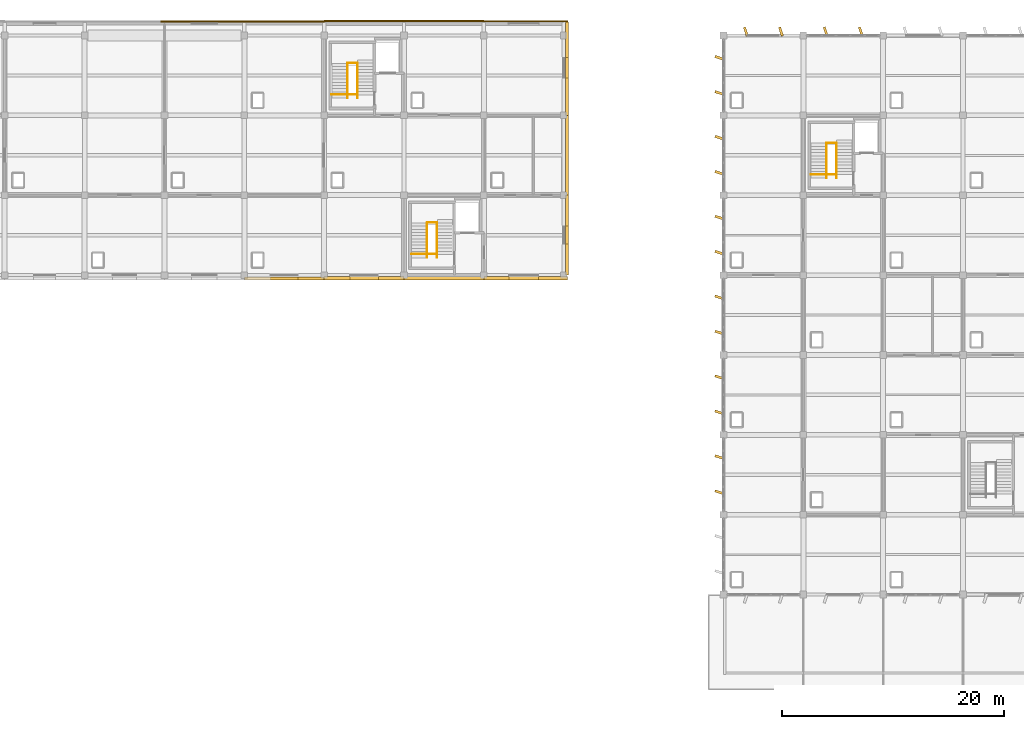
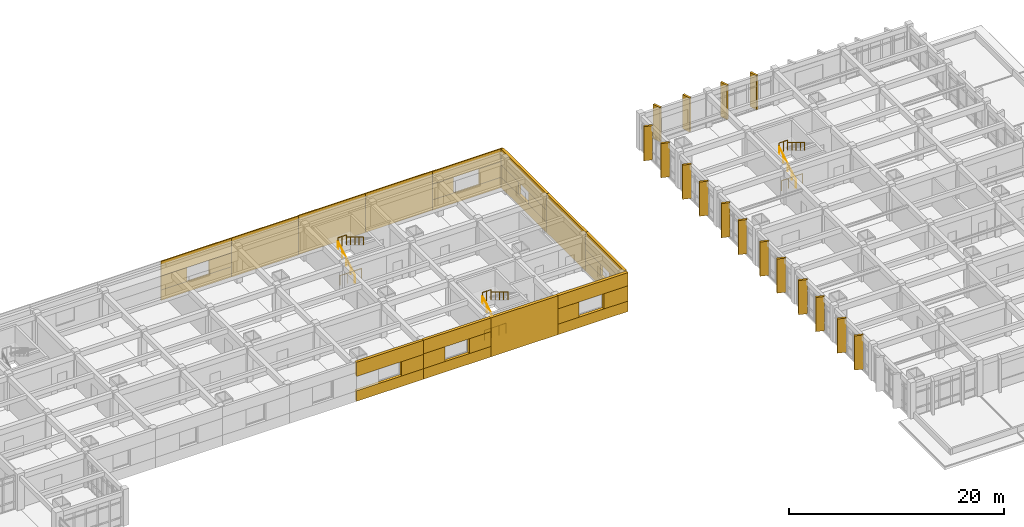
# One storey, part 61 of 62: 48 coverings, 12 railings.
"""IFC4 building model written with IfcOpenShell, lengths in metres."""

from ifc_helpers import new_model, si_unit, direction, frame, origin, origin_2d, place, context, subcontext, project, spatial, polyline, rectangle, circle, outline, extrude, material, layer, layer_set, type_object, element, save


model = new_model("IFC4")

# Units and contexts
model_context = context("Model", 3, precision=1e-05, world=origin(), true_north=direction((0.0, 1.0)))
body_context = subcontext(model_context, "Body", "Model", "MODEL_VIEW")
ifc_project = project(units=[si_unit("LENGTHUNIT", "METRE"), si_unit("AREAUNIT", "SQUARE_METRE"), si_unit("VOLUMEUNIT", "CUBIC_METRE"), si_unit("PLANEANGLEUNIT", "RADIAN"), si_unit("MASSUNIT", "GRAM", prefix="KILO")], contexts=[model_context])

# Site, building, storey
site_placement = place(None, origin())
site = spatial("IfcSite", under=ifc_project, at=site_placement, CompositionType="ELEMENT")
building_placement = place(site_placement, origin())
building = spatial("IfcBuilding", under=site, at=building_placement, Name="Kavelor Marine Aquarium", CompositionType="ELEMENT")
storey_placement = place(building_placement, frame((0.0, 0.0, 13.5)))
storey = spatial("IfcBuildingStorey", under=building, at=storey_placement, Name="L03", CompositionType="ELEMENT", Elevation=13.5)

# Coverings
ifc_material_1 = material(Name="Precast Concrete C45/55 Coastal Brise-Soleil Fin", Category="concrete")
ifc_layer_1 = layer(ifc_material_1, 0.219970703125)
ifc_layer_set_1 = layer_set([ifc_layer_1], Name="COV-CL1")
covering_type_1 = type_object("IfcCoveringType", Name="COV-CL1", PredefinedType="CLADDING", material=ifc_layer_set_1)
for number, where, z_axis, x_axis, name in (
    (1, (118.0400390625, 69.615966796875, 0.0), (0.0, 0.0, 1.0), (0.951056516295, -0.309016994375, 0.0), "fin:y:L03:16_09:0"),
    (2, (118.0400390625, 72.783935546875, 0.0), (0.0, 0.0, 1.0), (0.951056516295, -0.309016994375, 0.0), "fin:y:L03:16_09:1"),
    (3, (118.0400390625, 76.81591796875, 0.0), (0.0, 0.0, 1.0), (0.951056516295, -0.309016994375, 0.0), "fin:y:L03:16_10:0"),
    (4, (118.0400390625, 79.98388671875, 0.0), (0.0, 0.0, 1.0), (0.951056516295, -0.309016994375, 0.0), "fin:y:L03:16_10:1"),
    (5, (118.0400390625, 84.01611328125, 0.0), (0.0, 0.0, 1.0), (0.951056516295, -0.309016994375, 0.0), "fin:y:L03:16_11:0"),
    (6, (118.0400390625, 87.18408203125, 0.0), (0.0, 0.0, 1.0), (0.951056516295, -0.309016994375, 0.0), "fin:y:L03:16_11:1"),
    (7, (118.0400390625, 91.216064453125, 0.0), (0.0, 0.0, 1.0), (0.951056516295, -0.309016994375, 0.0), "fin:y:L03:16_12:0"),
    (8, (118.0400390625, 94.384033203125, 0.0), (0.0, 0.0, 1.0), (0.951056516295, -0.309016994375, 0.0), "fin:y:L03:16_12:1"),
    (9, (118.0400390625, 98.416015625, 0.0), (0.0, 0.0, 1.0), (0.951056516295, -0.309016994375, 0.0), "fin:y:L03:16_13:0"),
    (10, (118.0400390625, 101.583984375, 0.0), (0.0, 0.0, 1.0), (0.951056516295, -0.309016994375, 0.0), "fin:y:L03:16_13:1"),
    (11, (118.0400390625, 105.615966796875, 0.0), (0.0, 0.0, 1.0), (0.951056516295, -0.309016994375, 0.0), "fin:y:L03:16_14:0"),
    (12, (118.0400390625, 108.783935546875, 0.0), (0.0, 0.0, 1.0), (0.951056516295, -0.309016994375, 0.0), "fin:y:L03:16_14:1"),
):
    element("IfcCovering", number, at=place(storey_placement, frame(where, z_axis=z_axis, x_axis=x_axis)), inside=storey, type_object=covering_type_1, Name=name, PredefinedType="CLADDING", context=body_context, shape_type="SweptSolid", body=[
        extrude(rectangle(XDim=0.85009765625, YDim=0.219970703125, at=origin_2d()), origin(), (0.0, 0.0, 1.0), 3.8798828125),
    ])
for number, where, z_axis, x_axis, name in (
    (13, (120.416015625, 111.159912109375, 0.0), (0.0, 0.0, 1.0), (0.951056516295, 0.309016994375, 0.0), "fin:x:L03:16_15:0"),
    (14, (123.583984375, 111.159912109375, 0.0), (0.0, 0.0, 1.0), (0.951056516295, 0.309016994375, 0.0), "fin:x:L03:16_15:1"),
    (15, (127.615966796875, 111.159912109375, 0.0), (0.0, 0.0, 1.0), (0.951056516295, 0.309016994375, 0.0), "fin:x:L03:17_15:0"),
    (16, (130.783935546875, 111.159912109375, 0.0), (0.0, 0.0, 1.0), (0.951056516295, 0.309016994375, 0.0), "fin:x:L03:17_15:1"),
):
    element("IfcCovering", number, at=place(storey_placement, frame(where, z_axis=z_axis, x_axis=x_axis)), inside=storey, type_object=covering_type_1, Name=name, PredefinedType="CLADDING", context=body_context, shape_type="SweptSolid", body=[
        extrude(rectangle(XDim=0.219970703125, YDim=0.85009765625, at=origin_2d()), origin(), (0.0, 0.0, 1.0), 3.8798828125),
    ])
ifc_material_2 = material(Name="Smooth White Marine Aluminium Composite Cladding", Category="aluminium")
ifc_layer_2 = layer(ifc_material_2, 0.10009765625)
ifc_layer_set_2 = layer_set([ifc_layer_2], Name="COV-WM1")
covering_type_2 = type_object("IfcCoveringType", Name="COV-WM1", PredefinedType="CLADDING", material=ifc_layer_set_2)
covering_1_placement = place(storey_placement, frame((0.0, 0.0, -0.280029296875)))
element("IfcCovering", 17, at=covering_1_placement, inside=storey, type_object=covering_type_2, Name="wmc:x:L03:09_15:sill", PredefinedType="CLADDING", context=body_context, shape_type="SweptSolid", body=[
    extrude(outline(polyline([(67.64990234375, 112.010009765625), (75.199951171875, 112.010009765625), (75.199951171875, 112.1298828125), (67.64990234375, 112.1298828125), (67.64990234375, 112.010009765625)])), origin(), (0.0, 0.0, 1.0), 1.18994140625),
])
covering_2_placement = place(storey_placement, frame((0.0, 0.0, 2.489990234375)))
element("IfcCovering", 18, at=covering_2_placement, inside=storey, type_object=covering_type_2, Name="wmc:x:L03:09_15:head", PredefinedType="CLADDING", context=body_context, shape_type="SweptSolid", body=[
    extrude(outline(polyline([(67.64990234375, 112.010009765625), (75.199951171875, 112.010009765625), (75.199951171875, 112.1298828125), (67.64990234375, 112.1298828125), (67.64990234375, 112.010009765625)])), origin(), (0.0, 0.0, 1.0), 1.64990234375),
])
covering_3_placement = place(storey_placement, frame((0.0, 0.0, 0.909912109375)))
element("IfcCovering", 19, at=covering_3_placement, inside=storey, type_object=covering_type_2, Name="wmc:x:L03:09_15:left", PredefinedType="CLADDING", context=body_context, shape_type="SweptSolid", body=[
    extrude(outline(polyline([(67.64990234375, 112.010009765625), (70.409912109375, 112.010009765625), (70.409912109375, 112.1298828125), (67.64990234375, 112.1298828125), (67.64990234375, 112.010009765625)])), origin(), (0.0, 0.0, 1.0), 1.580078125),
])
covering_4_placement = place(storey_placement, frame((0.0, 0.0, 0.909912109375)))
element("IfcCovering", 20, at=covering_4_placement, inside=storey, type_object=covering_type_2, Name="wmc:x:L03:09_15:right", PredefinedType="CLADDING", context=body_context, shape_type="SweptSolid", body=[
    extrude(outline(polyline([(72.7900390625, 112.010009765625), (75.199951171875, 112.010009765625), (75.199951171875, 112.1298828125), (72.7900390625, 112.1298828125), (72.7900390625, 112.010009765625)])), origin(), (0.0, 0.0, 1.0), 1.580078125),
])
covering_5_placement = place(storey_placement, frame((0.0, 0.0, -0.280029296875)))
element("IfcCovering", 21, at=covering_5_placement, inside=storey, type_object=covering_type_2, Name="wmc:x:L03:10_12:sill", PredefinedType="CLADDING", context=body_context, shape_type="SweptSolid", body=[
    extrude(outline(polyline([(75.199951171875, 88.760009765625), (82.39990234375, 88.760009765625), (82.39990234375, 89.050048828125), (75.199951171875, 89.050048828125), (75.199951171875, 88.760009765625)])), origin(), (0.0, 0.0, 1.0), 1.18994140625),
])
covering_6_placement = place(storey_placement, frame((0.0, 0.0, 2.5400390625)))
element("IfcCovering", 22, at=covering_6_placement, inside=storey, type_object=covering_type_2, Name="wmc:x:L03:10_12:head", PredefinedType="CLADDING", context=body_context, shape_type="SweptSolid", body=[
    extrude(outline(polyline([(75.199951171875, 88.760009765625), (82.39990234375, 88.760009765625), (82.39990234375, 89.050048828125), (75.199951171875, 89.050048828125), (75.199951171875, 88.760009765625)])), origin(), (0.0, 0.0, 1.0), 1.599853515625),
])
covering_7_placement = place(storey_placement, frame((0.0, 0.0, 0.909912109375)))
element("IfcCovering", 23, at=covering_7_placement, inside=storey, type_object=covering_type_2, Name="wmc:x:L03:10_12:right", PredefinedType="CLADDING", context=body_context, shape_type="SweptSolid", body=[
    extrude(outline(polyline([(80.0400390625, 88.760009765625), (82.39990234375, 88.760009765625), (82.39990234375, 89.050048828125), (80.0400390625, 89.050048828125), (80.0400390625, 88.760009765625)])), origin(), (0.0, 0.0, 1.0), 1.630126953125),
])
covering_8_placement = place(storey_placement, frame((0.0, 0.0, -0.280029296875)))
element("IfcCovering", 24, at=covering_8_placement, inside=storey, type_object=covering_type_2, Name="wmc:x:L03:10_15:full", PredefinedType="CLADDING", context=body_context, shape_type="SweptSolid", body=[
    extrude(outline(polyline([(75.199951171875, 112.0), (82.39990234375, 112.0), (82.39990234375, 112.1201171875), (75.199951171875, 112.1201171875), (75.199951171875, 112.0)])), origin(), (0.0, 0.0, 1.0), 4.419921875),
])
covering_9_placement = place(storey_placement, frame((0.0, 0.0, -0.280029296875)))
element("IfcCovering", 25, at=covering_9_placement, inside=storey, type_object=covering_type_2, Name="wmc:x:L03:11_12:sill", PredefinedType="CLADDING", context=body_context, shape_type="SweptSolid", body=[
    extrude(outline(polyline([(82.39990234375, 88.760009765625), (89.60009765625, 88.760009765625), (89.60009765625, 89.06005859375), (82.39990234375, 89.06005859375), (82.39990234375, 88.760009765625)])), origin(), (0.0, 0.0, 1.0), 1.18994140625),
])
covering_10_placement = place(storey_placement, frame((0.0, 0.0, 2.590087890625)))
element("IfcCovering", 26, at=covering_10_placement, inside=storey, type_object=covering_type_2, Name="wmc:x:L03:11_12:head", PredefinedType="CLADDING", context=body_context, shape_type="SweptSolid", body=[
    extrude(outline(polyline([(82.39990234375, 88.760009765625), (89.60009765625, 88.760009765625), (89.60009765625, 89.06005859375), (82.39990234375, 89.06005859375), (82.39990234375, 88.760009765625)])), origin(), (0.0, 0.0, 1.0), 1.5498046875),
])
covering_11_placement = place(storey_placement, frame((0.0, 0.0, 0.909912109375)))
element("IfcCovering", 27, at=covering_11_placement, inside=storey, type_object=covering_type_2, Name="wmc:x:L03:11_12:left", PredefinedType="CLADDING", context=body_context, shape_type="SweptSolid", body=[
    extrude(outline(polyline([(82.39990234375, 88.760009765625), (84.7099609375, 88.760009765625), (84.7099609375, 89.06005859375), (82.39990234375, 89.06005859375), (82.39990234375, 88.760009765625)])), origin(), (0.0, 0.0, 1.0), 1.68017578125),
])
covering_12_placement = place(storey_placement, frame((0.0, 0.0, 0.909912109375)))
element("IfcCovering", 28, at=covering_12_placement, inside=storey, type_object=covering_type_2, Name="wmc:x:L03:11_12:right", PredefinedType="CLADDING", context=body_context, shape_type="SweptSolid", body=[
    extrude(outline(polyline([(87.2900390625, 88.760009765625), (89.60009765625, 88.760009765625), (89.60009765625, 89.06005859375), (87.2900390625, 89.06005859375), (87.2900390625, 88.760009765625)])), origin(), (0.0, 0.0, 1.0), 1.68017578125),
])
covering_13_placement = place(storey_placement, frame((0.0, 0.0, -0.280029296875)))
element("IfcCovering", 29, at=covering_13_placement, inside=storey, type_object=covering_type_2, Name="wmc:x:L03:11_15:full", PredefinedType="CLADDING", context=body_context, shape_type="SweptSolid", body=[
    extrude(outline(polyline([(82.39990234375, 112.0400390625), (89.60009765625, 112.0400390625), (89.60009765625, 112.159912109375), (82.39990234375, 112.159912109375), (82.39990234375, 112.0400390625)])), origin(), (0.0, 0.0, 1.0), 4.419921875),
])
covering_14_placement = place(storey_placement, frame((0.0, 0.0, -0.280029296875)))
element("IfcCovering", 30, at=covering_14_placement, inside=storey, type_object=covering_type_2, Name="wmc:x:L03:12_12:full", PredefinedType="CLADDING", context=body_context, shape_type="SweptSolid", body=[
    extrude(outline(polyline([(89.60009765625, 88.760009765625), (96.800048828125, 88.760009765625), (96.800048828125, 89.070068359375), (89.60009765625, 89.070068359375), (89.60009765625, 88.760009765625)])), origin(), (0.0, 0.0, 1.0), 4.419921875),
])
covering_15_placement = place(storey_placement, frame((0.0, 0.0, -0.280029296875)))
element("IfcCovering", 31, at=covering_15_placement, inside=storey, type_object=covering_type_2, Name="wmc:x:L03:12_15:full", PredefinedType="CLADDING", context=body_context, shape_type="SweptSolid", body=[
    extrude(outline(polyline([(89.60009765625, 112.050048828125), (96.800048828125, 112.050048828125), (96.800048828125, 112.169921875), (89.60009765625, 112.169921875), (89.60009765625, 112.050048828125)])), origin(), (0.0, 0.0, 1.0), 4.419921875),
])
covering_16_placement = place(storey_placement, frame((0.0, 0.0, -0.280029296875)))
element("IfcCovering", 32, at=covering_16_placement, inside=storey, type_object=covering_type_2, Name="wmc:x:L03:13_12:sill", PredefinedType="CLADDING", context=body_context, shape_type="SweptSolid", body=[
    extrude(outline(polyline([(96.800048828125, 88.760009765625), (104.35009765625, 88.760009765625), (104.35009765625, 89.080078125), (96.800048828125, 89.080078125), (96.800048828125, 88.760009765625)])), origin(), (0.0, 0.0, 1.0), 1.18994140625),
])
covering_17_placement = place(storey_placement, frame((0.0, 0.0, 2.639892578125)))
element("IfcCovering", 33, at=covering_17_placement, inside=storey, type_object=covering_type_2, Name="wmc:x:L03:13_12:head", PredefinedType="CLADDING", context=body_context, shape_type="SweptSolid", body=[
    extrude(outline(polyline([(96.800048828125, 88.760009765625), (104.35009765625, 88.760009765625), (104.35009765625, 89.080078125), (96.800048828125, 89.080078125), (96.800048828125, 88.760009765625)])), origin(), (0.0, 0.0, 1.0), 1.5),
])
covering_18_placement = place(storey_placement, frame((0.0, 0.0, 0.909912109375)))
element("IfcCovering", 34, at=covering_18_placement, inside=storey, type_object=covering_type_2, Name="wmc:x:L03:13_12:left", PredefinedType="CLADDING", context=body_context, shape_type="SweptSolid", body=[
    extrude(outline(polyline([(96.800048828125, 88.760009765625), (99.06005859375, 88.760009765625), (99.06005859375, 89.080078125), (96.800048828125, 89.080078125), (96.800048828125, 88.760009765625)])), origin(), (0.0, 0.0, 1.0), 1.72998046875),
])
covering_19_placement = place(storey_placement, frame((0.0, 0.0, 0.909912109375)))
element("IfcCovering", 35, at=covering_19_placement, inside=storey, type_object=covering_type_2, Name="wmc:x:L03:13_12:right", PredefinedType="CLADDING", context=body_context, shape_type="SweptSolid", body=[
    extrude(outline(polyline([(101.739990234375, 88.760009765625), (104.35009765625, 88.760009765625), (104.35009765625, 89.080078125), (101.739990234375, 89.080078125), (101.739990234375, 88.760009765625)])), origin(), (0.0, 0.0, 1.0), 1.72998046875),
])
covering_20_placement = place(storey_placement, frame((0.0, 0.0, -0.280029296875)))
element("IfcCovering", 36, at=covering_20_placement, inside=storey, type_object=covering_type_2, Name="wmc:x:L03:13_15:sill", PredefinedType="CLADDING", context=body_context, shape_type="SweptSolid", body=[
    extrude(outline(polyline([(96.800048828125, 112.030029296875), (104.35009765625, 112.030029296875), (104.35009765625, 112.14990234375), (96.800048828125, 112.14990234375), (96.800048828125, 112.030029296875)])), origin(), (0.0, 0.0, 1.0), 1.18994140625),
])
covering_21_placement = place(storey_placement, frame((0.0, 0.0, 2.68994140625)))
element("IfcCovering", 37, at=covering_21_placement, inside=storey, type_object=covering_type_2, Name="wmc:x:L03:13_15:head", PredefinedType="CLADDING", context=body_context, shape_type="SweptSolid", body=[
    extrude(outline(polyline([(96.800048828125, 112.030029296875), (104.35009765625, 112.030029296875), (104.35009765625, 112.14990234375), (96.800048828125, 112.14990234375), (96.800048828125, 112.030029296875)])), origin(), (0.0, 0.0, 1.0), 1.449951171875),
])
covering_22_placement = place(storey_placement, frame((0.0, 0.0, 0.909912109375)))
element("IfcCovering", 38, at=covering_22_placement, inside=storey, type_object=covering_type_2, Name="wmc:x:L03:13_15:left", PredefinedType="CLADDING", context=body_context, shape_type="SweptSolid", body=[
    extrude(outline(polyline([(96.800048828125, 112.030029296875), (99.010009765625, 112.030029296875), (99.010009765625, 112.14990234375), (96.800048828125, 112.14990234375), (96.800048828125, 112.030029296875)])), origin(), (0.0, 0.0, 1.0), 1.780029296875),
])
covering_23_placement = place(storey_placement, frame((0.0, 0.0, 0.909912109375)))
element("IfcCovering", 39, at=covering_23_placement, inside=storey, type_object=covering_type_2, Name="wmc:x:L03:13_15:right", PredefinedType="CLADDING", context=body_context, shape_type="SweptSolid", body=[
    extrude(outline(polyline([(101.7900390625, 112.030029296875), (104.35009765625, 112.030029296875), (104.35009765625, 112.14990234375), (101.7900390625, 112.14990234375), (101.7900390625, 112.030029296875)])), origin(), (0.0, 0.0, 1.0), 1.780029296875),
])
covering_24_placement = place(storey_placement, frame((0.0, 0.0, -0.280029296875)))
element("IfcCovering", 40, at=covering_24_placement, inside=storey, type_object=covering_type_2, Name="wmc:y:L03:14_12:sill", PredefinedType="CLADDING", context=body_context, shape_type="SweptSolid", body=[
    extrude(outline(polyline([(104.159912109375, 89.199951171875), (104.43994140625, 89.199951171875), (104.43994140625, 96.39990234375), (104.159912109375, 96.39990234375), (104.159912109375, 89.199951171875)])), origin(), (0.0, 0.0, 1.0), 1.18994140625),
])
covering_25_placement = place(storey_placement, frame((0.0, 0.0, 2.239990234375)))
element("IfcCovering", 41, at=covering_25_placement, inside=storey, type_object=covering_type_2, Name="wmc:y:L03:14_12:head", PredefinedType="CLADDING", context=body_context, shape_type="SweptSolid", body=[
    extrude(outline(polyline([(104.159912109375, 89.199951171875), (104.43994140625, 89.199951171875), (104.43994140625, 96.39990234375), (104.159912109375, 96.39990234375), (104.159912109375, 89.199951171875)])), origin(), (0.0, 0.0, 1.0), 1.89990234375),
])
covering_26_placement = place(storey_placement, frame((0.0, 0.0, 0.909912109375)))
element("IfcCovering", 42, at=covering_26_placement, inside=storey, type_object=covering_type_2, Name="wmc:y:L03:14_12:left", PredefinedType="CLADDING", context=body_context, shape_type="SweptSolid", body=[
    extrude(outline(polyline([(104.159912109375, 89.199951171875), (104.43994140625, 89.199951171875), (104.43994140625, 91.985107421875), (104.159912109375, 91.985107421875), (104.159912109375, 89.199951171875)])), origin(), (0.0, 0.0, 1.0), 1.330078125),
])
covering_27_placement = place(storey_placement, frame((0.0, 0.0, 0.909912109375)))
element("IfcCovering", 43, at=covering_27_placement, inside=storey, type_object=covering_type_2, Name="wmc:y:L03:14_12:right", PredefinedType="CLADDING", context=body_context, shape_type="SweptSolid", body=[
    extrude(outline(polyline([(104.159912109375, 93.614990234375), (104.43994140625, 93.614990234375), (104.43994140625, 96.39990234375), (104.159912109375, 96.39990234375), (104.159912109375, 93.614990234375)])), origin(), (0.0, 0.0, 1.0), 1.330078125),
])
covering_28_placement = place(storey_placement, frame((0.0, 0.0, -0.280029296875)))
element("IfcCovering", 44, at=covering_28_placement, inside=storey, type_object=covering_type_2, Name="wmc:y:L03:14_13:full", PredefinedType="CLADDING", context=body_context, shape_type="SweptSolid", body=[
    extrude(outline(polyline([(104.169921875, 96.39990234375), (104.43994140625, 96.39990234375), (104.43994140625, 103.60009765625), (104.169921875, 103.60009765625), (104.169921875, 96.39990234375)])), origin(), (0.0, 0.0, 1.0), 4.419921875),
])
covering_29_placement = place(storey_placement, frame((0.0, 0.0, -0.280029296875)))
element("IfcCovering", 45, at=covering_29_placement, inside=storey, type_object=covering_type_2, Name="wmc:y:L03:14_14:sill", PredefinedType="CLADDING", context=body_context, shape_type="SweptSolid", body=[
    extrude(outline(polyline([(104.14990234375, 103.60009765625), (104.43994140625, 103.60009765625), (104.43994140625, 112.0400390625), (104.14990234375, 112.0400390625), (104.14990234375, 103.60009765625)])), origin(), (0.0, 0.0, 1.0), 1.18994140625),
])
covering_30_placement = place(storey_placement, frame((0.0, 0.0, 2.2900390625)))
element("IfcCovering", 46, at=covering_30_placement, inside=storey, type_object=covering_type_2, Name="wmc:y:L03:14_14:head", PredefinedType="CLADDING", context=body_context, shape_type="SweptSolid", body=[
    extrude(outline(polyline([(104.14990234375, 103.60009765625), (104.43994140625, 103.60009765625), (104.43994140625, 112.0400390625), (104.14990234375, 112.0400390625), (104.14990234375, 103.60009765625)])), origin(), (0.0, 0.0, 1.0), 1.849853515625),
])
covering_31_placement = place(storey_placement, frame((0.0, 0.0, 0.909912109375)))
element("IfcCovering", 47, at=covering_31_placement, inside=storey, type_object=covering_type_2, Name="wmc:y:L03:14_14:left", PredefinedType="CLADDING", context=body_context, shape_type="SweptSolid", body=[
    extrude(outline(polyline([(104.14990234375, 103.60009765625), (104.43994140625, 103.60009765625), (104.43994140625, 106.972412109375), (104.14990234375, 106.972412109375), (104.14990234375, 103.60009765625)])), origin(), (0.0, 0.0, 1.0), 1.380126953125),
])
covering_32_placement = place(storey_placement, frame((0.0, 0.0, 0.909912109375)))
element("IfcCovering", 48, at=covering_32_placement, inside=storey, type_object=covering_type_2, Name="wmc:y:L03:14_14:right", PredefinedType="CLADDING", context=body_context, shape_type="SweptSolid", body=[
    extrude(outline(polyline([(104.14990234375, 108.802490234375), (104.43994140625, 108.802490234375), (104.43994140625, 112.0400390625), (104.14990234375, 112.0400390625), (104.14990234375, 108.802490234375)])), origin(), (0.0, 0.0, 1.0), 1.380126953125),
])

# Railings
ifc_material_3 = material(Name="Brushed Stainless Steel Wall and Flight Handrail", Category="steel")
railing_type_1 = type_object("IfcRailingType", Name="RL-HR1", PredefinedType="HANDRAIL", material=ifc_material_3)
railing_1_placement = place(storey_placement, frame((84.489990234375, 105.159912109375, 0.0)))
element("IfcRailing", 49, at=railing_1_placement, inside=storey, type_object=railing_type_1, Name="Stair Handrail ST06-1", PredefinedType="HANDRAIL", context=body_context, shape_type="SweptSolid", body=[
    extrude(circle(Radius=0.02001953125, at=origin_2d()), frame((0.0, 0.0, 0.8798828125), z_axis=(0.0, 0.855505515513, 0.517793697264), x_axis=(-1.0, 0.0, 0.0)), (0.0, 0.0, 1.0), 3.66455078125),
    extrude(circle(Radius=0.01806640625, at=origin_2d()), origin(), (0.0, 0.0, 1.0), 0.85986328125),
    extrude(circle(Radius=0.01806640625, at=origin_2d()), frame((0.0, 0.78369140625, 0.474365234375)), (0.0, 0.0, 1.0), 0.85986328125),
    extrude(circle(Radius=0.01806640625, at=origin_2d()), frame((0.0, 1.5673828125, 0.94873046875)), (0.0, 0.0, 1.0), 0.85986328125),
    extrude(circle(Radius=0.01806640625, at=origin_2d()), frame((0.0, 2.351318359375, 1.423095703125)), (0.0, 0.0, 1.0), 0.85986328125),
    extrude(circle(Radius=0.01806640625, at=origin_2d()), frame((0.0, 3.135009765625, 1.8974609375)), (0.0, 0.0, 1.0), 0.85986328125),
])
railing_2_placement = place(storey_placement, frame((85.389892578125, 108.294921875, 2.070068359375)))
element("IfcRailing", 50, at=railing_2_placement, inside=storey, type_object=railing_type_1, Name="Stair Handrail ST06-2", PredefinedType="HANDRAIL", context=body_context, shape_type="SweptSolid", body=[
    extrude(circle(Radius=0.02001953125, at=origin_2d()), frame((0.0, 0.0, 0.8798828125), z_axis=(0.0, -0.855505515513, 0.517793697264), x_axis=(1.0, 0.0, 0.0)), (0.0, 0.0, 1.0), 3.66455078125),
    extrude(circle(Radius=0.01806640625, at=origin_2d()), origin(), (0.0, 0.0, 1.0), 0.85986328125),
    extrude(circle(Radius=0.01806640625, at=origin_2d()), frame((0.0, -0.78369140625, 0.474365234375)), (0.0, 0.0, 1.0), 0.85986328125),
    extrude(circle(Radius=0.01806640625, at=origin_2d()), frame((0.0, -1.5673828125, 0.94873046875)), (0.0, 0.0, 1.0), 0.85986328125),
    extrude(circle(Radius=0.01806640625, at=origin_2d()), frame((0.0, -2.351318359375, 1.423095703125)), (0.0, 0.0, 1.0), 0.85986328125),
    extrude(circle(Radius=0.01806640625, at=origin_2d()), frame((0.0, -3.135009765625, 1.8974609375)), (0.0, 0.0, 1.0), 0.85986328125),
])
railing_3_placement = place(storey_placement, frame((91.68994140625, 90.760009765625, 0.0)))
element("IfcRailing", 51, at=railing_3_placement, inside=storey, type_object=railing_type_1, Name="Stair Handrail ST07-1", PredefinedType="HANDRAIL", context=body_context, shape_type="SweptSolid", body=[
    extrude(circle(Radius=0.02001953125, at=origin_2d()), frame((0.0, 0.0, 0.8798828125), z_axis=(0.0, 0.855505515513, 0.517793697264), x_axis=(-1.0, 0.0, 0.0)), (0.0, 0.0, 1.0), 3.66455078125),
    extrude(circle(Radius=0.01806640625, at=origin_2d()), origin(), (0.0, 0.0, 1.0), 0.85986328125),
    extrude(circle(Radius=0.01806640625, at=origin_2d()), frame((0.0, 0.78369140625, 0.474365234375)), (0.0, 0.0, 1.0), 0.85986328125),
    extrude(circle(Radius=0.01806640625, at=origin_2d()), frame((0.0, 1.5673828125, 0.94873046875)), (0.0, 0.0, 1.0), 0.85986328125),
    extrude(circle(Radius=0.01806640625, at=origin_2d()), frame((0.0, 2.351318359375, 1.423095703125)), (0.0, 0.0, 1.0), 0.85986328125),
    extrude(circle(Radius=0.01806640625, at=origin_2d()), frame((0.0, 3.135009765625, 1.8974609375)), (0.0, 0.0, 1.0), 0.85986328125),
])
railing_4_placement = place(storey_placement, frame((92.590087890625, 93.89501953125, 2.070068359375)))
element("IfcRailing", 52, at=railing_4_placement, inside=storey, type_object=railing_type_1, Name="Stair Handrail ST07-2", PredefinedType="HANDRAIL", context=body_context, shape_type="SweptSolid", body=[
    extrude(circle(Radius=0.02001953125, at=origin_2d()), frame((0.0, 0.0, 0.8798828125), z_axis=(0.0, -0.855505515513, 0.517793697264), x_axis=(1.0, 0.0, 0.0)), (0.0, 0.0, 1.0), 3.66455078125),
    extrude(circle(Radius=0.01806640625, at=origin_2d()), origin(), (0.0, 0.0, 1.0), 0.85986328125),
    extrude(circle(Radius=0.01806640625, at=origin_2d()), frame((0.0, -0.78369140625, 0.474365234375)), (0.0, 0.0, 1.0), 0.85986328125),
    extrude(circle(Radius=0.01806640625, at=origin_2d()), frame((0.0, -1.5673828125, 0.94873046875)), (0.0, 0.0, 1.0), 0.85986328125),
    extrude(circle(Radius=0.01806640625, at=origin_2d()), frame((0.0, -2.351318359375, 1.423095703125)), (0.0, 0.0, 1.0), 0.85986328125),
    extrude(circle(Radius=0.01806640625, at=origin_2d()), frame((0.0, -3.135009765625, 1.8974609375)), (0.0, 0.0, 1.0), 0.85986328125),
])
railing_5_placement = place(storey_placement, frame((127.68994140625, 97.9599609375, 0.0)))
element("IfcRailing", 53, at=railing_5_placement, inside=storey, type_object=railing_type_1, Name="Stair Handrail ST10-1", PredefinedType="HANDRAIL", context=body_context, shape_type="SweptSolid", body=[
    extrude(circle(Radius=0.02001953125, at=origin_2d()), frame((0.0, 0.0, 0.8798828125), z_axis=(0.0, 0.855505515513, 0.517793697264), x_axis=(-1.0, 0.0, 0.0)), (0.0, 0.0, 1.0), 3.66455078125),
    extrude(circle(Radius=0.01806640625, at=origin_2d()), origin(), (0.0, 0.0, 1.0), 0.85986328125),
    extrude(circle(Radius=0.01806640625, at=origin_2d()), frame((0.0, 0.78369140625, 0.474365234375)), (0.0, 0.0, 1.0), 0.85986328125),
    extrude(circle(Radius=0.01806640625, at=origin_2d()), frame((0.0, 1.5673828125, 0.94873046875)), (0.0, 0.0, 1.0), 0.85986328125),
    extrude(circle(Radius=0.01806640625, at=origin_2d()), frame((0.0, 2.351318359375, 1.423095703125)), (0.0, 0.0, 1.0), 0.85986328125),
    extrude(circle(Radius=0.01806640625, at=origin_2d()), frame((0.0, 3.135009765625, 1.8974609375)), (0.0, 0.0, 1.0), 0.85986328125),
])
railing_6_placement = place(storey_placement, frame((128.590087890625, 101.094970703125, 2.070068359375)))
element("IfcRailing", 54, at=railing_6_placement, inside=storey, type_object=railing_type_1, Name="Stair Handrail ST10-2", PredefinedType="HANDRAIL", context=body_context, shape_type="SweptSolid", body=[
    extrude(circle(Radius=0.02001953125, at=origin_2d()), frame((0.0, 0.0, 0.8798828125), z_axis=(0.0, -0.855505515513, 0.517793697264), x_axis=(1.0, 0.0, 0.0)), (0.0, 0.0, 1.0), 3.66455078125),
    extrude(circle(Radius=0.01806640625, at=origin_2d()), origin(), (0.0, 0.0, 1.0), 0.85986328125),
    extrude(circle(Radius=0.01806640625, at=origin_2d()), frame((0.0, -0.78369140625, 0.474365234375)), (0.0, 0.0, 1.0), 0.85986328125),
    extrude(circle(Radius=0.01806640625, at=origin_2d()), frame((0.0, -1.5673828125, 0.94873046875)), (0.0, 0.0, 1.0), 0.85986328125),
    extrude(circle(Radius=0.01806640625, at=origin_2d()), frame((0.0, -2.351318359375, 1.423095703125)), (0.0, 0.0, 1.0), 0.85986328125),
    extrude(circle(Radius=0.01806640625, at=origin_2d()), frame((0.0, -3.135009765625, 1.8974609375)), (0.0, 0.0, 1.0), 0.85986328125),
])
ifc_material_4 = material(Name="Brushed Stainless Steel Stair Guardrail", Category="steel")
railing_type_2 = type_object("IfcRailingType", Name="RL-SG1", PredefinedType="GUARDRAIL", material=ifc_material_4)
railing_7_placement = place(storey_placement, frame((84.489990234375, 108.324951171875, 2.070068359375)))
element("IfcRailing", 55, at=railing_7_placement, inside=storey, type_object=railing_type_2, Name="Landing Guardrail ST06-M", PredefinedType="GUARDRAIL", context=body_context, shape_type="SweptSolid", body=[
    extrude(circle(Radius=0.0224609375, at=origin_2d()), frame((0.0, 0.0, 1.09765625), z_axis=(1.0, 0.0, 0.0), x_axis=(0.0, 1.0, 0.0)), (0.0, 0.0, 1.0), 0.89990234375),
    extrude(circle(Radius=0.02099609375, at=origin_2d()), origin(), (0.0, 0.0, 1.0), 1.0751953125),
    extrude(circle(Radius=0.02099609375, at=origin_2d()), frame((0.449951171875, 0.0, 0.0)), (0.0, 0.0, 1.0), 1.0751953125),
    extrude(circle(Radius=0.02099609375, at=origin_2d()), frame((0.89990234375, 0.0, 0.0)), (0.0, 0.0, 1.0), 1.0751953125),
])
railing_8_placement = place(storey_placement, frame((83.080078125, 105.47998046875, 0.0)))
element("IfcRailing", 56, at=railing_8_placement, inside=storey, type_object=railing_type_2, Name="Stairwell Guardrail ST06-W", PredefinedType="GUARDRAIL", context=body_context, shape_type="SweptSolid", body=[
    extrude(circle(Radius=0.0224609375, at=origin_2d()), frame((0.0, 0.0, 1.09765625), z_axis=(1.0, 0.0, 0.0), x_axis=(0.0, 1.0, 0.0)), (0.0, 0.0, 1.0), 2.2998046875),
    extrude(circle(Radius=0.02099609375, at=origin_2d()), origin(), (0.0, 0.0, 1.0), 1.0751953125),
    extrude(circle(Radius=0.02099609375, at=origin_2d()), frame((0.7666015625, 0.0, 0.0)), (0.0, 0.0, 1.0), 1.0751953125),
    extrude(circle(Radius=0.02099609375, at=origin_2d()), frame((1.533203125, 0.0, 0.0)), (0.0, 0.0, 1.0), 1.0751953125),
    extrude(circle(Radius=0.02099609375, at=origin_2d()), frame((2.2998046875, 0.0, 0.0)), (0.0, 0.0, 1.0), 1.0751953125),
])
railing_9_placement = place(storey_placement, frame((91.68994140625, 93.925048828125, 2.070068359375)))
element("IfcRailing", 57, at=railing_9_placement, inside=storey, type_object=railing_type_2, Name="Landing Guardrail ST07-M", PredefinedType="GUARDRAIL", context=body_context, shape_type="SweptSolid", body=[
    extrude(circle(Radius=0.0224609375, at=origin_2d()), frame((0.0, 0.0, 1.09765625), z_axis=(1.0, 0.0, 0.0), x_axis=(0.0, 1.0, 0.0)), (0.0, 0.0, 1.0), 0.900146484375),
    extrude(circle(Radius=0.02099609375, at=origin_2d()), origin(), (0.0, 0.0, 1.0), 1.0751953125),
    extrude(circle(Radius=0.02099609375, at=origin_2d()), frame((0.4501953125, 0.0, 0.0)), (0.0, 0.0, 1.0), 1.0751953125),
    extrude(circle(Radius=0.02099609375, at=origin_2d()), frame((0.900146484375, 0.0, 0.0)), (0.0, 0.0, 1.0), 1.0751953125),
])
railing_10_placement = place(storey_placement, frame((90.280029296875, 91.080078125, 0.0)))
element("IfcRailing", 58, at=railing_10_placement, inside=storey, type_object=railing_type_2, Name="Stairwell Guardrail ST07-W", PredefinedType="GUARDRAIL", context=body_context, shape_type="SweptSolid", body=[
    extrude(circle(Radius=0.0224609375, at=origin_2d()), frame((0.0, 0.0, 1.09765625), z_axis=(1.0, 0.0, 0.0), x_axis=(0.0, 1.0, 0.0)), (0.0, 0.0, 1.0), 2.300048828125),
    extrude(circle(Radius=0.02099609375, at=origin_2d()), origin(), (0.0, 0.0, 1.0), 1.0751953125),
    extrude(circle(Radius=0.02099609375, at=origin_2d()), frame((0.7666015625, 0.0, 0.0)), (0.0, 0.0, 1.0), 1.0751953125),
    extrude(circle(Radius=0.02099609375, at=origin_2d()), frame((1.533447265625, 0.0, 0.0)), (0.0, 0.0, 1.0), 1.0751953125),
    extrude(circle(Radius=0.02099609375, at=origin_2d()), frame((2.300048828125, 0.0, 0.0)), (0.0, 0.0, 1.0), 1.0751953125),
])
railing_11_placement = place(storey_placement, frame((127.68994140625, 101.125, 2.070068359375)))
element("IfcRailing", 59, at=railing_11_placement, inside=storey, type_object=railing_type_2, Name="Landing Guardrail ST10-M", PredefinedType="GUARDRAIL", context=body_context, shape_type="SweptSolid", body=[
    extrude(circle(Radius=0.0224609375, at=origin_2d()), frame((0.0, 0.0, 1.09765625), z_axis=(1.0, 0.0, 0.0), x_axis=(0.0, 1.0, 0.0)), (0.0, 0.0, 1.0), 0.900146484375),
    extrude(circle(Radius=0.02099609375, at=origin_2d()), origin(), (0.0, 0.0, 1.0), 1.0751953125),
    extrude(circle(Radius=0.02099609375, at=origin_2d()), frame((0.4501953125, 0.0, 0.0)), (0.0, 0.0, 1.0), 1.0751953125),
    extrude(circle(Radius=0.02099609375, at=origin_2d()), frame((0.900146484375, 0.0, 0.0)), (0.0, 0.0, 1.0), 1.0751953125),
])
railing_12_placement = place(storey_placement, frame((126.280029296875, 98.280029296875, 0.0)))
element("IfcRailing", 60, at=railing_12_placement, inside=storey, type_object=railing_type_2, Name="Stairwell Guardrail ST10-W", PredefinedType="GUARDRAIL", context=body_context, shape_type="SweptSolid", body=[
    extrude(circle(Radius=0.0224609375, at=origin_2d()), frame((0.0, 0.0, 1.09765625), z_axis=(1.0, 0.0, 0.0), x_axis=(0.0, 1.0, 0.0)), (0.0, 0.0, 1.0), 2.300048828125),
    extrude(circle(Radius=0.02099609375, at=origin_2d()), origin(), (0.0, 0.0, 1.0), 1.0751953125),
    extrude(circle(Radius=0.02099609375, at=origin_2d()), frame((0.7666015625, 0.0, 0.0)), (0.0, 0.0, 1.0), 1.0751953125),
    extrude(circle(Radius=0.02099609375, at=origin_2d()), frame((1.533447265625, 0.0, 0.0)), (0.0, 0.0, 1.0), 1.0751953125),
    extrude(circle(Radius=0.02099609375, at=origin_2d()), frame((2.300048828125, 0.0, 0.0)), (0.0, 0.0, 1.0), 1.0751953125),
])

save(model, "model.ifc")
